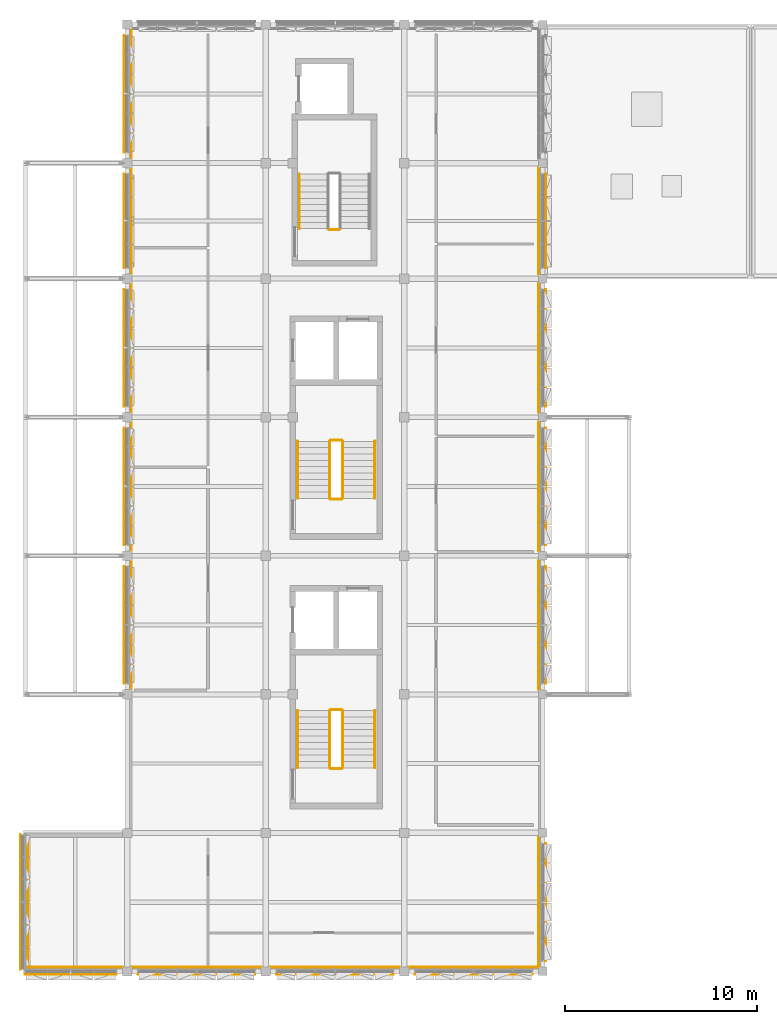
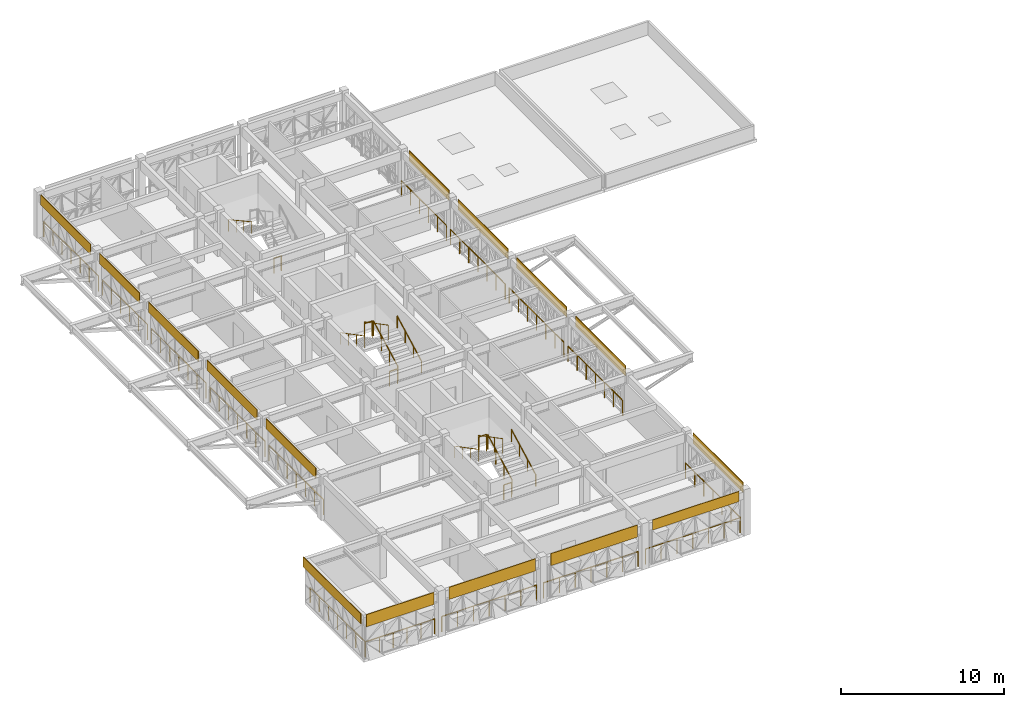
# One storey, part 25 of 30: 29 railings, 15 coverings.
"""IFC4 building model written with IfcOpenShell, lengths in metres."""

from ifc_helpers import new_model, si_unit, direction, frame, origin, origin_2d, place, context, subcontext, project, spatial, polyline, circle, outline, extrude, material, layer, layer_set, type_object, element, save


model = new_model("IFC4")

# Units and contexts
model_context = context("Model", 3, precision=1e-05, world=origin(), true_north=direction((0.0, 1.0)))
body_context = subcontext(model_context, "Body", "Model", "MODEL_VIEW")
ifc_project = project(units=[si_unit("LENGTHUNIT", "METRE"), si_unit("AREAUNIT", "SQUARE_METRE"), si_unit("VOLUMEUNIT", "CUBIC_METRE"), si_unit("PLANEANGLEUNIT", "RADIAN"), si_unit("MASSUNIT", "GRAM", prefix="KILO")], contexts=[model_context])

# Site, building, storey
site_placement = place(None, origin())
site = spatial("IfcSite", under=ifc_project, at=site_placement, CompositionType="ELEMENT")
building_placement = place(site_placement, origin())
building = spatial("IfcBuilding", under=site, at=building_placement, Name="Alvorim Cloister Faculty of Sciences", CompositionType="ELEMENT")
storey_placement = place(building_placement, frame((0.0, 0.0, 26.25)))
storey = spatial("IfcBuildingStorey", under=building, at=storey_placement, Name="L07", CompositionType="ELEMENT", Elevation=26.25)

# Coverings
ifc_material_1 = material(Name="Anodised Aluminium Alloy 6063-T6", Category="aluminium")
ifc_layer = layer(ifc_material_1, 0.031982421875)
ifc_layer_set = layer_set([ifc_layer], Name="Anodised Aluminium Alloy 6063-T6")
covering_type = type_object("IfcCoveringType", Name="COV-FAC-CAS", PredefinedType="CLADDING", material=ifc_layer_set)
covering_1_placement = place(storey_placement, frame((22.139892578125, 7.050048828125, 2.679931640625), z_axis=(0.0, 0.0, 1.0), x_axis=(1.0, 0.0, 0.0)))
element("IfcCovering", 1, at=covering_1_placement, inside=storey, type_object=covering_type, Name="L07 Shifted Bar Slab-Edge Architectural Fascia", PredefinedType="CLADDING", context=body_context, shape_type="SweptSolid", body=[
    extrude(outline(polyline([(0.0, 0.0), (6.1201171875, 0.0), (6.1201171875, 0.760009765625), (0.0, 0.760009765625), (0.0, 0.0)])), frame((0.0, 0.0224609375, 0.0), z_axis=(0.0, -1.0, 0.0), x_axis=(1.0, 0.0, 0.0)), (0.0, 0.0, 1.0), 0.044921875),
])
for number, where, z_axis, x_axis, name in (
    (2, (14.93994140625, 7.050048828125, 2.535888671875), (0.0, 0.0, 1.0), (1.0, 0.0, 0.0), "L07 Shifted Bar Slab-Edge Architectural Fascia"),
    (3, (7.739990234375, 7.050048828125, 2.535888671875), (0.0, 0.0, 1.0), (1.0, 0.0, 0.0), "L07 Shifted Bar Slab-Edge Architectural Fascia"),
):
    element("IfcCovering", number, at=place(storey_placement, frame(where, z_axis=z_axis, x_axis=x_axis)), inside=storey, type_object=covering_type, Name=name, PredefinedType="CLADDING", context=body_context, shape_type="SweptSolid", body=[
        extrude(outline(polyline([(0.0, 0.0), (6.1201171875, 0.0), (6.1201171875, 0.904052734375), (0.0, 0.904052734375), (0.0, 0.0)])), frame((0.0, 0.0224609375, 0.0), z_axis=(0.0, -1.0, 0.0), x_axis=(1.0, 0.0, 0.0)), (0.0, 0.0, 1.0), 0.044921875),
    ])
covering_2_placement = place(storey_placement, frame((1.8798828125, 7.050048828125, 2.535888671875), z_axis=(0.0, 0.0, 1.0), x_axis=(1.0, 0.0, 0.0)))
element("IfcCovering", 4, at=covering_2_placement, inside=storey, type_object=covering_type, Name="L07 Shifted Bar Slab-Edge Architectural Fascia", PredefinedType="CLADDING", context=body_context, shape_type="SweptSolid", body=[
    extrude(outline(polyline([(0.0, 0.0), (4.780029296875, 0.0), (4.780029296875, 0.904052734375), (0.0, 0.904052734375), (0.0, 0.0)])), frame((0.0, 0.0224609375, 0.0), z_axis=(0.0, -1.0, 0.0), x_axis=(1.0, 0.0, 0.0)), (0.0, 0.0, 1.0), 0.044921875),
])
covering_3_placement = place(storey_placement, frame((1.64990234375, 7.280029296875, 2.68701171875), z_axis=(0.0, 0.0, 1.0), x_axis=(0.0, 1.0, 0.0)))
element("IfcCovering", 5, at=covering_3_placement, inside=storey, type_object=covering_type, Name="L07 Shifted Bar Slab-Edge Architectural Fascia", PredefinedType="CLADDING", context=body_context, shape_type="SweptSolid", body=[
    extrude(outline(polyline([(0.0, 0.0), (7.0400390625, 0.0), (7.0400390625, 0.7529296875), (0.0, 0.7529296875), (0.0, 0.0)])), frame((0.0, 0.0224609375, 0.0), z_axis=(0.0, -1.0, 0.0), x_axis=(1.0, 0.0, 0.0)), (0.0, 0.0, 1.0), 0.044921875),
])
for number, where, z_axis, x_axis, name in (
    (6, (7.050048828125, 22.139892578125, 2.679931640625), (0.0, 0.0, 1.0), (0.0, 1.0, 0.0), "L07 Shifted Bar Slab-Edge Architectural Fascia"),
    (7, (7.050048828125, 29.340087890625, 2.679931640625), (0.0, 0.0, 1.0), (0.0, 1.0, 0.0), "L07 Shifted Bar Slab-Edge Architectural Fascia"),
    (8, (7.050048828125, 36.5400390625, 2.679931640625), (0.0, 0.0, 1.0), (0.0, 1.0, 0.0), "L07 Shifted Bar Slab-Edge Architectural Fascia"),
):
    element("IfcCovering", number, at=place(storey_placement, frame(where, z_axis=z_axis, x_axis=x_axis)), inside=storey, type_object=covering_type, Name=name, PredefinedType="CLADDING", context=body_context, shape_type="SweptSolid", body=[
        extrude(outline(polyline([(0.0, 0.0), (6.1201171875, 0.0), (6.1201171875, 0.760009765625), (0.0, 0.760009765625), (0.0, 0.0)])), frame((0.0, 0.0224609375, 0.0), z_axis=(0.0, -1.0, 0.0), x_axis=(1.0, 0.0, 0.0)), (0.0, 0.0, 1.0), 0.044921875),
    ])
covering_4_placement = place(storey_placement, frame((7.050048828125, 43.739990234375, 2.679931640625), z_axis=(0.0, 0.0, 1.0), x_axis=(0.0, 1.0, 0.0)))
element("IfcCovering", 9, at=covering_4_placement, inside=storey, type_object=covering_type, Name="L07 Shifted Bar Slab-Edge Architectural Fascia", PredefinedType="CLADDING", context=body_context, shape_type="SweptSolid", body=[
    extrude(outline(polyline([(0.0, 0.0), (4.919921875, 0.0), (4.919921875, 0.760009765625), (0.0, 0.760009765625), (0.0, 0.0)])), frame((0.0, 0.0224609375, 0.0), z_axis=(0.0, -1.0, 0.0), x_axis=(1.0, 0.0, 0.0)), (0.0, 0.0, 1.0), 0.044921875),
])
covering_5_placement = place(storey_placement, frame((7.050048828125, 49.739990234375, 2.679931640625), z_axis=(0.0, 0.0, 1.0), x_axis=(0.0, 1.0, 0.0)))
element("IfcCovering", 10, at=covering_5_placement, inside=storey, type_object=covering_type, Name="L07 Shifted Bar Slab-Edge Architectural Fascia", PredefinedType="CLADDING", context=body_context, shape_type="SweptSolid", body=[
    extrude(outline(polyline([(0.0, 0.0), (6.1201171875, 0.0), (6.1201171875, 0.760009765625), (0.0, 0.760009765625), (0.0, 0.0)])), frame((0.0, 0.0224609375, 0.0), z_axis=(0.0, -1.0, 0.0), x_axis=(1.0, 0.0, 0.0)), (0.0, 0.0, 1.0), 0.044921875),
])
covering_6_placement = place(storey_placement, frame((28.949951171875, 43.739990234375, 2.679931640625), z_axis=(0.0, 0.0, 1.0), x_axis=(0.0, 1.0, 0.0)))
element("IfcCovering", 11, at=covering_6_placement, inside=storey, type_object=covering_type, Name="L07 Shifted Bar Slab-Edge Architectural Fascia", PredefinedType="CLADDING", context=body_context, shape_type="SweptSolid", body=[
    extrude(outline(polyline([(0.0, 0.0), (4.919921875, 0.0), (4.919921875, 0.760009765625), (0.0, 0.760009765625), (0.0, 0.0)])), frame((0.0, 0.0224609375, 0.0), z_axis=(0.0, -1.0, 0.0), x_axis=(1.0, 0.0, 0.0)), (0.0, 0.0, 1.0), 0.044921875),
])
for number, where, z_axis, x_axis, name in (
    (12, (28.949951171875, 36.5400390625, 2.679931640625), (0.0, 0.0, 1.0), (0.0, 1.0, 0.0), "L07 Shifted Bar Slab-Edge Architectural Fascia"),
    (13, (28.949951171875, 29.340087890625, 2.679931640625), (0.0, 0.0, 1.0), (0.0, 1.0, 0.0), "L07 Shifted Bar Slab-Edge Architectural Fascia"),
    (14, (28.949951171875, 22.139892578125, 2.679931640625), (0.0, 0.0, 1.0), (0.0, 1.0, 0.0), "L07 Shifted Bar Slab-Edge Architectural Fascia"),
    (15, (28.949951171875, 7.739990234375, 2.679931640625), (0.0, 0.0, 1.0), (0.0, 1.0, 0.0), "L07 Shifted Bar Slab-Edge Architectural Fascia"),
):
    element("IfcCovering", number, at=place(storey_placement, frame(where, z_axis=z_axis, x_axis=x_axis)), inside=storey, type_object=covering_type, Name=name, PredefinedType="CLADDING", context=body_context, shape_type="SweptSolid", body=[
        extrude(outline(polyline([(0.0, 0.0), (6.1201171875, 0.0), (6.1201171875, 0.760009765625), (0.0, 0.760009765625), (0.0, 0.0)])), frame((0.0, 0.0224609375, 0.0), z_axis=(0.0, -1.0, 0.0), x_axis=(1.0, 0.0, 0.0)), (0.0, 0.0, 1.0), 0.044921875),
    ])

# Railings
ifc_material_2 = material(Name="Laminated Safety Glass and Bronze", Category="glass")
railing_type_1 = type_object("IfcRailingType", Name="RL-ATR-BAL-1150", PredefinedType="BALUSTRADE", material=ifc_material_2)
railing_1_placement = place(storey_placement, frame((21.85009765625, 7.419921875, 0.0)))
element("IfcRailing", 16, at=railing_1_placement, inside=storey, type_object=railing_type_1, Name="L07 Curtain Wall Sill Guard BL-256", PredefinedType="BALUSTRADE", context=body_context, shape_type="SweptSolid", body=[
    extrude(circle(Radius=0.02392578125, at=origin_2d()), frame((0.0, 0.0, 1.1259765625), z_axis=(1.0, 0.0, 0.0), x_axis=(0.0, 1.0, 0.0)), (0.0, 0.0, 1.0), 6.699951171875),
    extrude(circle(Radius=0.02099609375, at=origin_2d()), origin(), (0.0, 0.0, 1.0), 1.101806640625),
    extrude(circle(Radius=0.02099609375, at=origin_2d()), frame((1.11669921875, 0.0, 0.0)), (0.0, 0.0, 1.0), 1.101806640625),
    extrude(circle(Radius=0.02099609375, at=origin_2d()), frame((2.2333984375, 0.0, 0.0)), (0.0, 0.0, 1.0), 1.101806640625),
    extrude(circle(Radius=0.02099609375, at=origin_2d()), frame((3.35009765625, 0.0, 0.0)), (0.0, 0.0, 1.0), 1.101806640625),
    extrude(circle(Radius=0.02099609375, at=origin_2d()), frame((4.466552734375, 0.0, 0.0)), (0.0, 0.0, 1.0), 1.101806640625),
    extrude(circle(Radius=0.02099609375, at=origin_2d()), frame((5.583251953125, 0.0, 0.0)), (0.0, 0.0, 1.0), 1.101806640625),
    extrude(circle(Radius=0.02099609375, at=origin_2d()), frame((6.699951171875, 0.0, 0.0)), (0.0, 0.0, 1.0), 1.101806640625),
])
railing_2_placement = place(storey_placement, frame((14.64990234375, 7.419921875, 0.0)))
element("IfcRailing", 17, at=railing_2_placement, inside=storey, type_object=railing_type_1, Name="L07 Curtain Wall Sill Guard BL-257", PredefinedType="BALUSTRADE", context=body_context, shape_type="SweptSolid", body=[
    extrude(circle(Radius=0.02392578125, at=origin_2d()), frame((0.0, 0.0, 1.1259765625), z_axis=(1.0, 0.0, 0.0), x_axis=(0.0, 1.0, 0.0)), (0.0, 0.0, 1.0), 6.7001953125),
    extrude(circle(Radius=0.02099609375, at=origin_2d()), origin(), (0.0, 0.0, 1.0), 1.101806640625),
    extrude(circle(Radius=0.02099609375, at=origin_2d()), frame((1.11669921875, 0.0, 0.0)), (0.0, 0.0, 1.0), 1.101806640625),
    extrude(circle(Radius=0.02099609375, at=origin_2d()), frame((2.2333984375, 0.0, 0.0)), (0.0, 0.0, 1.0), 1.101806640625),
    extrude(circle(Radius=0.02099609375, at=origin_2d()), frame((3.35009765625, 0.0, 0.0)), (0.0, 0.0, 1.0), 1.101806640625),
    extrude(circle(Radius=0.02099609375, at=origin_2d()), frame((4.466796875, 0.0, 0.0)), (0.0, 0.0, 1.0), 1.101806640625),
    extrude(circle(Radius=0.02099609375, at=origin_2d()), frame((5.58349609375, 0.0, 0.0)), (0.0, 0.0, 1.0), 1.101806640625),
    extrude(circle(Radius=0.02099609375, at=origin_2d()), frame((6.7001953125, 0.0, 0.0)), (0.0, 0.0, 1.0), 1.101806640625),
])
railing_3_placement = place(storey_placement, frame((7.449951171875, 7.419921875, 0.0)))
element("IfcRailing", 18, at=railing_3_placement, inside=storey, type_object=railing_type_1, Name="L07 Curtain Wall Sill Guard BL-258", PredefinedType="BALUSTRADE", context=body_context, shape_type="SweptSolid", body=[
    extrude(circle(Radius=0.02392578125, at=origin_2d()), frame((0.0, 0.0, 1.1259765625), z_axis=(1.0, 0.0, 0.0), x_axis=(0.0, 1.0, 0.0)), (0.0, 0.0, 1.0), 6.699951171875),
    extrude(circle(Radius=0.02099609375, at=origin_2d()), origin(), (0.0, 0.0, 1.0), 1.101806640625),
    extrude(circle(Radius=0.02099609375, at=origin_2d()), frame((1.11669921875, 0.0, 0.0)), (0.0, 0.0, 1.0), 1.101806640625),
    extrude(circle(Radius=0.02099609375, at=origin_2d()), frame((2.2333984375, 0.0, 0.0)), (0.0, 0.0, 1.0), 1.101806640625),
    extrude(circle(Radius=0.02099609375, at=origin_2d()), frame((3.35009765625, 0.0, 0.0)), (0.0, 0.0, 1.0), 1.101806640625),
    extrude(circle(Radius=0.02099609375, at=origin_2d()), frame((4.466552734375, 0.0, 0.0)), (0.0, 0.0, 1.0), 1.101806640625),
    extrude(circle(Radius=0.02099609375, at=origin_2d()), frame((5.583251953125, 0.0, 0.0)), (0.0, 0.0, 1.0), 1.101806640625),
    extrude(circle(Radius=0.02099609375, at=origin_2d()), frame((6.699951171875, 0.0, 0.0)), (0.0, 0.0, 1.0), 1.101806640625),
])
railing_4_placement = place(storey_placement, frame((2.050048828125, 7.419921875, 0.0)))
element("IfcRailing", 19, at=railing_4_placement, inside=storey, type_object=railing_type_1, Name="L07 Curtain Wall Sill Guard BL-259", PredefinedType="BALUSTRADE", context=body_context, shape_type="SweptSolid", body=[
    extrude(circle(Radius=0.02392578125, at=origin_2d()), frame((0.0, 0.0, 1.1259765625), z_axis=(1.0, 0.0, 0.0), x_axis=(0.0, 1.0, 0.0)), (0.0, 0.0, 1.0), 4.89990234375),
    extrude(circle(Radius=0.02099609375, at=origin_2d()), origin(), (0.0, 0.0, 1.0), 1.101806640625),
    extrude(circle(Radius=0.02099609375, at=origin_2d()), frame((0.97998046875, 0.0, 0.0)), (0.0, 0.0, 1.0), 1.101806640625),
    extrude(circle(Radius=0.02099609375, at=origin_2d()), frame((1.9599609375, 0.0, 0.0)), (0.0, 0.0, 1.0), 1.101806640625),
    extrude(circle(Radius=0.02099609375, at=origin_2d()), frame((2.93994140625, 0.0, 0.0)), (0.0, 0.0, 1.0), 1.101806640625),
    extrude(circle(Radius=0.02099609375, at=origin_2d()), frame((3.919921875, 0.0, 0.0)), (0.0, 0.0, 1.0), 1.101806640625),
    extrude(circle(Radius=0.02099609375, at=origin_2d()), frame((4.89990234375, 0.0, 0.0)), (0.0, 0.0, 1.0), 1.101806640625),
])
for number, where, name in (
    (20, (2.02001953125, 7.449951171875, 0.0), "L07 Curtain Wall Sill Guard BL-260"),
    (21, (7.419921875, 21.85009765625, 0.0), "L07 Curtain Wall Sill Guard BL-261"),
    (22, (7.419921875, 29.050048828125, 0.0), "L07 Curtain Wall Sill Guard BL-262"),
    (23, (7.419921875, 36.25, 0.0), "L07 Curtain Wall Sill Guard BL-263"),
):
    element("IfcRailing", number, at=place(storey_placement, frame(where)), inside=storey, type_object=railing_type_1, Name=name, PredefinedType="BALUSTRADE", context=body_context, shape_type="SweptSolid", body=[
        extrude(circle(Radius=0.02392578125, at=origin_2d()), frame((0.0, 0.0, 1.1259765625), z_axis=(0.0, 1.0, 0.0), x_axis=(-1.0, 0.0, 0.0)), (0.0, 0.0, 1.0), 6.699951171875),
        extrude(circle(Radius=0.02099609375, at=origin_2d()), origin(), (0.0, 0.0, 1.0), 1.101806640625),
        extrude(circle(Radius=0.02099609375, at=origin_2d()), frame((0.0, 1.11669921875, 0.0)), (0.0, 0.0, 1.0), 1.101806640625),
        extrude(circle(Radius=0.02099609375, at=origin_2d()), frame((0.0, 2.2333984375, 0.0)), (0.0, 0.0, 1.0), 1.101806640625),
        extrude(circle(Radius=0.02099609375, at=origin_2d()), frame((0.0, 3.35009765625, 0.0)), (0.0, 0.0, 1.0), 1.101806640625),
        extrude(circle(Radius=0.02099609375, at=origin_2d()), frame((0.0, 4.466552734375, 0.0)), (0.0, 0.0, 1.0), 1.101806640625),
        extrude(circle(Radius=0.02099609375, at=origin_2d()), frame((0.0, 5.583251953125, 0.0)), (0.0, 0.0, 1.0), 1.101806640625),
        extrude(circle(Radius=0.02099609375, at=origin_2d()), frame((0.0, 6.699951171875, 0.0)), (0.0, 0.0, 1.0), 1.101806640625),
    ])
railing_5_placement = place(storey_placement, frame((7.419921875, 43.449951171875, 0.0)))
element("IfcRailing", 24, at=railing_5_placement, inside=storey, type_object=railing_type_1, Name="L07 Curtain Wall Sill Guard BL-264", PredefinedType="BALUSTRADE", context=body_context, shape_type="SweptSolid", body=[
    extrude(circle(Radius=0.02392578125, at=origin_2d()), frame((0.0, 0.0, 1.1259765625), z_axis=(0.0, 1.0, 0.0), x_axis=(-1.0, 0.0, 0.0)), (0.0, 0.0, 1.0), 5.5),
    extrude(circle(Radius=0.02099609375, at=origin_2d()), origin(), (0.0, 0.0, 1.0), 1.101806640625),
    extrude(circle(Radius=0.02099609375, at=origin_2d()), frame((0.0, 1.10009765625, 0.0)), (0.0, 0.0, 1.0), 1.101806640625),
    extrude(circle(Radius=0.02099609375, at=origin_2d()), frame((0.0, 2.199951171875, 0.0)), (0.0, 0.0, 1.0), 1.101806640625),
    extrude(circle(Radius=0.02099609375, at=origin_2d()), frame((0.0, 3.300048828125, 0.0)), (0.0, 0.0, 1.0), 1.101806640625),
    extrude(circle(Radius=0.02099609375, at=origin_2d()), frame((0.0, 4.39990234375, 0.0)), (0.0, 0.0, 1.0), 1.101806640625),
    extrude(circle(Radius=0.02099609375, at=origin_2d()), frame((0.0, 5.5, 0.0)), (0.0, 0.0, 1.0), 1.101806640625),
])
railing_6_placement = place(storey_placement, frame((7.419921875, 49.449951171875, 0.0)))
element("IfcRailing", 25, at=railing_6_placement, inside=storey, type_object=railing_type_1, Name="L07 Curtain Wall Sill Guard BL-265", PredefinedType="BALUSTRADE", context=body_context, shape_type="SweptSolid", body=[
    extrude(circle(Radius=0.02392578125, at=origin_2d()), frame((0.0, 0.0, 1.1259765625), z_axis=(0.0, 1.0, 0.0), x_axis=(-1.0, 0.0, 0.0)), (0.0, 0.0, 1.0), 6.699951171875),
    extrude(circle(Radius=0.02099609375, at=origin_2d()), origin(), (0.0, 0.0, 1.0), 1.101806640625),
    extrude(circle(Radius=0.02099609375, at=origin_2d()), frame((0.0, 1.11669921875, 0.0)), (0.0, 0.0, 1.0), 1.101806640625),
    extrude(circle(Radius=0.02099609375, at=origin_2d()), frame((0.0, 2.2333984375, 0.0)), (0.0, 0.0, 1.0), 1.101806640625),
    extrude(circle(Radius=0.02099609375, at=origin_2d()), frame((0.0, 3.35009765625, 0.0)), (0.0, 0.0, 1.0), 1.101806640625),
    extrude(circle(Radius=0.02099609375, at=origin_2d()), frame((0.0, 4.466552734375, 0.0)), (0.0, 0.0, 1.0), 1.101806640625),
    extrude(circle(Radius=0.02099609375, at=origin_2d()), frame((0.0, 5.583251953125, 0.0)), (0.0, 0.0, 1.0), 1.101806640625),
    extrude(circle(Radius=0.02099609375, at=origin_2d()), frame((0.0, 6.699951171875, 0.0)), (0.0, 0.0, 1.0), 1.101806640625),
])
railing_7_placement = place(storey_placement, frame((28.580078125, 43.449951171875, 0.0)))
element("IfcRailing", 26, at=railing_7_placement, inside=storey, type_object=railing_type_1, Name="L07 Curtain Wall Sill Guard BL-270", PredefinedType="BALUSTRADE", context=body_context, shape_type="SweptSolid", body=[
    extrude(circle(Radius=0.02392578125, at=origin_2d()), frame((0.0, 0.0, 1.1259765625), z_axis=(0.0, 1.0, 0.0), x_axis=(-1.0, 0.0, 0.0)), (0.0, 0.0, 1.0), 5.5),
    extrude(circle(Radius=0.02099609375, at=origin_2d()), origin(), (0.0, 0.0, 1.0), 1.101806640625),
    extrude(circle(Radius=0.02099609375, at=origin_2d()), frame((0.0, 1.10009765625, 0.0)), (0.0, 0.0, 1.0), 1.101806640625),
    extrude(circle(Radius=0.02099609375, at=origin_2d()), frame((0.0, 2.199951171875, 0.0)), (0.0, 0.0, 1.0), 1.101806640625),
    extrude(circle(Radius=0.02099609375, at=origin_2d()), frame((0.0, 3.300048828125, 0.0)), (0.0, 0.0, 1.0), 1.101806640625),
    extrude(circle(Radius=0.02099609375, at=origin_2d()), frame((0.0, 4.39990234375, 0.0)), (0.0, 0.0, 1.0), 1.101806640625),
    extrude(circle(Radius=0.02099609375, at=origin_2d()), frame((0.0, 5.5, 0.0)), (0.0, 0.0, 1.0), 1.101806640625),
])
for number, where, name in (
    (27, (28.580078125, 36.25, 0.0), "L07 Curtain Wall Sill Guard BL-271"),
    (28, (28.580078125, 29.050048828125, 0.0), "L07 Curtain Wall Sill Guard BL-272"),
    (29, (28.580078125, 21.85009765625, 0.0), "L07 Curtain Wall Sill Guard BL-273"),
    (30, (28.580078125, 7.449951171875, 0.0), "L07 Curtain Wall Sill Guard BL-274"),
):
    element("IfcRailing", number, at=place(storey_placement, frame(where)), inside=storey, type_object=railing_type_1, Name=name, PredefinedType="BALUSTRADE", context=body_context, shape_type="SweptSolid", body=[
        extrude(circle(Radius=0.02392578125, at=origin_2d()), frame((0.0, 0.0, 1.1259765625), z_axis=(0.0, 1.0, 0.0), x_axis=(-1.0, 0.0, 0.0)), (0.0, 0.0, 1.0), 6.699951171875),
        extrude(circle(Radius=0.02099609375, at=origin_2d()), origin(), (0.0, 0.0, 1.0), 1.101806640625),
        extrude(circle(Radius=0.02099609375, at=origin_2d()), frame((0.0, 1.11669921875, 0.0)), (0.0, 0.0, 1.0), 1.101806640625),
        extrude(circle(Radius=0.02099609375, at=origin_2d()), frame((0.0, 2.2333984375, 0.0)), (0.0, 0.0, 1.0), 1.101806640625),
        extrude(circle(Radius=0.02099609375, at=origin_2d()), frame((0.0, 3.35009765625, 0.0)), (0.0, 0.0, 1.0), 1.101806640625),
        extrude(circle(Radius=0.02099609375, at=origin_2d()), frame((0.0, 4.466552734375, 0.0)), (0.0, 0.0, 1.0), 1.101806640625),
        extrude(circle(Radius=0.02099609375, at=origin_2d()), frame((0.0, 5.583251953125, 0.0)), (0.0, 0.0, 1.0), 1.101806640625),
        extrude(circle(Radius=0.02099609375, at=origin_2d()), frame((0.0, 6.699951171875, 0.0)), (0.0, 0.0, 1.0), 1.101806640625),
    ])
ifc_material_3 = material(Name="Galvanised Painted Steel", Category="steel")
railing_type_2 = type_object("IfcRailingType", Name="RL-STR-GUARD", PredefinedType="GUARDRAIL", material=ifc_material_3)
railing_8_placement = place(storey_placement, frame((18.389892578125, 17.780029296875, 0.172607421875)))
element("IfcRailing", 31, at=railing_8_placement, inside=storey, type_object=railing_type_2, Name="L07 ST-01 stair guard 1", PredefinedType="GUARDRAIL", context=body_context, shape_type="SweptSolid", body=[
    extrude(circle(Radius=0.02392578125, at=origin_2d()), frame((0.0, 0.0, 1.09619140625), z_axis=(0.0, 0.886224764221, 0.463255509715), x_axis=(-1.0, 0.0, 0.0)), (0.0, 0.0, 1.0), 3.351318359375),
    extrude(circle(Radius=0.02099609375, at=origin_2d()), origin(), (0.0, 0.0, 1.0), 1.072021484375),
    extrude(circle(Radius=0.02099609375, at=origin_2d()), frame((0.0, 0.989990234375, 0.517578125)), (0.0, 0.0, 1.0), 1.072021484375),
    extrude(circle(Radius=0.02099609375, at=origin_2d()), frame((0.0, 1.97998046875, 1.034912109375)), (0.0, 0.0, 1.0), 1.072021484375),
    extrude(circle(Radius=0.02099609375, at=origin_2d()), frame((0.0, 2.969970703125, 1.552490234375)), (0.0, 0.0, 1.0), 1.072021484375),
])
railing_9_placement = place(storey_placement, frame((18.340087890625, 20.800048828125, 1.72509765625)))
element("IfcRailing", 32, at=railing_9_placement, inside=storey, type_object=railing_type_2, Name="L07 ST-01 stair guard 2", PredefinedType="GUARDRAIL", context=body_context, shape_type="SweptSolid", body=[
    extrude(circle(Radius=0.02392578125, at=origin_2d()), frame((0.0, 0.0, 1.09619140625), z_axis=(-1.0, 0.0, 0.0), x_axis=(0.0, -1.0, 0.0)), (0.0, 0.0, 1.0), 0.56005859375),
    extrude(circle(Radius=0.02099609375, at=origin_2d()), origin(), (0.0, 0.0, 1.0), 1.072021484375),
    extrude(circle(Radius=0.02099609375, at=origin_2d()), frame((-0.56005859375, 0.0, 0.0)), (0.0, 0.0, 1.0), 1.072021484375),
])
railing_10_placement = place(storey_placement, frame((17.72998046875, 20.75, 1.8974609375)))
element("IfcRailing", 33, at=railing_10_placement, inside=storey, type_object=railing_type_2, Name="L07 ST-01 stair guard 3", PredefinedType="GUARDRAIL", context=body_context, shape_type="SweptSolid", body=[
    extrude(circle(Radius=0.02392578125, at=origin_2d()), frame((0.0, 0.0, 1.09619140625), z_axis=(0.0, -0.886224764221, 0.463255509715), x_axis=(1.0, 0.0, 0.0)), (0.0, 0.0, 1.0), 3.351318359375),
    extrude(circle(Radius=0.02099609375, at=origin_2d()), origin(), (0.0, 0.0, 1.0), 1.072021484375),
    extrude(circle(Radius=0.02099609375, at=origin_2d()), frame((0.0, -0.989990234375, 0.517578125)), (0.0, 0.0, 1.0), 1.072021484375),
    extrude(circle(Radius=0.02099609375, at=origin_2d()), frame((0.0, -1.97998046875, 1.034912109375)), (0.0, 0.0, 1.0), 1.072021484375),
    extrude(circle(Radius=0.02099609375, at=origin_2d()), frame((0.0, -2.969970703125, 1.552490234375)), (0.0, 0.0, 1.0), 1.072021484375),
])
railing_11_placement = place(storey_placement, frame((18.340087890625, 17.72998046875, 0.0)))
element("IfcRailing", 34, at=railing_11_placement, inside=storey, type_object=railing_type_2, Name="L07 ST-01 stair guard 4", PredefinedType="GUARDRAIL", context=body_context, shape_type="SweptSolid", body=[
    extrude(circle(Radius=0.02392578125, at=origin_2d()), frame((0.0, 0.0, 1.09619140625), z_axis=(-1.0, 0.0, 0.0), x_axis=(0.0, -1.0, 0.0)), (0.0, 0.0, 1.0), 0.56005859375),
    extrude(circle(Radius=0.02099609375, at=origin_2d()), origin(), (0.0, 0.0, 1.0), 1.072021484375),
    extrude(circle(Radius=0.02099609375, at=origin_2d()), frame((-0.56005859375, 0.0, 0.0)), (0.0, 0.0, 1.0), 1.072021484375),
])
railing_12_placement = place(storey_placement, frame((18.389892578125, 31.780029296875, 0.172607421875)))
element("IfcRailing", 35, at=railing_12_placement, inside=storey, type_object=railing_type_2, Name="L07 ST-02 stair guard 1", PredefinedType="GUARDRAIL", context=body_context, shape_type="SweptSolid", body=[
    extrude(circle(Radius=0.02392578125, at=origin_2d()), frame((0.0, 0.0, 1.09619140625), z_axis=(0.0, 0.886224764221, 0.463255509715), x_axis=(-1.0, 0.0, 0.0)), (0.0, 0.0, 1.0), 3.351318359375),
    extrude(circle(Radius=0.02099609375, at=origin_2d()), origin(), (0.0, 0.0, 1.0), 1.072021484375),
    extrude(circle(Radius=0.02099609375, at=origin_2d()), frame((0.0, 0.989990234375, 0.517578125)), (0.0, 0.0, 1.0), 1.072021484375),
    extrude(circle(Radius=0.02099609375, at=origin_2d()), frame((0.0, 1.97998046875, 1.034912109375)), (0.0, 0.0, 1.0), 1.072021484375),
    extrude(circle(Radius=0.02099609375, at=origin_2d()), frame((0.0, 2.969970703125, 1.552490234375)), (0.0, 0.0, 1.0), 1.072021484375),
])
railing_13_placement = place(storey_placement, frame((18.340087890625, 34.800048828125, 1.72509765625)))
element("IfcRailing", 36, at=railing_13_placement, inside=storey, type_object=railing_type_2, Name="L07 ST-02 stair guard 2", PredefinedType="GUARDRAIL", context=body_context, shape_type="SweptSolid", body=[
    extrude(circle(Radius=0.02392578125, at=origin_2d()), frame((0.0, 0.0, 1.09619140625), z_axis=(-1.0, 0.0, 0.0), x_axis=(0.0, -1.0, 0.0)), (0.0, 0.0, 1.0), 0.56005859375),
    extrude(circle(Radius=0.02099609375, at=origin_2d()), origin(), (0.0, 0.0, 1.0), 1.072021484375),
    extrude(circle(Radius=0.02099609375, at=origin_2d()), frame((-0.56005859375, 0.0, 0.0)), (0.0, 0.0, 1.0), 1.072021484375),
])
railing_14_placement = place(storey_placement, frame((17.72998046875, 34.75, 1.8974609375)))
element("IfcRailing", 37, at=railing_14_placement, inside=storey, type_object=railing_type_2, Name="L07 ST-02 stair guard 3", PredefinedType="GUARDRAIL", context=body_context, shape_type="SweptSolid", body=[
    extrude(circle(Radius=0.02392578125, at=origin_2d()), frame((0.0, 0.0, 1.09619140625), z_axis=(0.0, -0.886224764221, 0.463255509715), x_axis=(1.0, 0.0, 0.0)), (0.0, 0.0, 1.0), 3.351318359375),
    extrude(circle(Radius=0.02099609375, at=origin_2d()), origin(), (0.0, 0.0, 1.0), 1.072021484375),
    extrude(circle(Radius=0.02099609375, at=origin_2d()), frame((0.0, -0.989990234375, 0.517578125)), (0.0, 0.0, 1.0), 1.072021484375),
    extrude(circle(Radius=0.02099609375, at=origin_2d()), frame((0.0, -1.97998046875, 1.034912109375)), (0.0, 0.0, 1.0), 1.072021484375),
    extrude(circle(Radius=0.02099609375, at=origin_2d()), frame((0.0, -2.969970703125, 1.552490234375)), (0.0, 0.0, 1.0), 1.072021484375),
])
railing_15_placement = place(storey_placement, frame((18.340087890625, 31.72998046875, 0.0)))
element("IfcRailing", 38, at=railing_15_placement, inside=storey, type_object=railing_type_2, Name="L07 ST-02 stair guard 4", PredefinedType="GUARDRAIL", context=body_context, shape_type="SweptSolid", body=[
    extrude(circle(Radius=0.02392578125, at=origin_2d()), frame((0.0, 0.0, 1.09619140625), z_axis=(-1.0, 0.0, 0.0), x_axis=(0.0, -1.0, 0.0)), (0.0, 0.0, 1.0), 0.56005859375),
    extrude(circle(Radius=0.02099609375, at=origin_2d()), origin(), (0.0, 0.0, 1.0), 1.072021484375),
    extrude(circle(Radius=0.02099609375, at=origin_2d()), frame((-0.56005859375, 0.0, 0.0)), (0.0, 0.0, 1.0), 1.072021484375),
])
railing_16_placement = place(storey_placement, frame((18.219970703125, 45.75, 0.0)))
element("IfcRailing", 39, at=railing_16_placement, inside=storey, type_object=railing_type_2, Name="L07 ST-03 stair guard 4", PredefinedType="GUARDRAIL", context=body_context, shape_type="SweptSolid", body=[
    extrude(circle(Radius=0.02392578125, at=origin_2d()), frame((0.0, 0.0, 1.09619140625), z_axis=(-1.0, 0.0, 0.0), x_axis=(0.0, -1.0, 0.0)), (0.0, 0.0, 1.0), 0.52001953125),
    extrude(circle(Radius=0.02099609375, at=origin_2d()), origin(), (0.0, 0.0, 1.0), 1.072021484375),
    extrude(circle(Radius=0.02099609375, at=origin_2d()), frame((-0.52001953125, 0.0, 0.0)), (0.0, 0.0, 1.0), 1.072021484375),
])
ifc_material_4 = material(Name="Brushed Stainless Steel", Category="steel")
railing_type_3 = type_object("IfcRailingType", Name="RL-STR-HAND", PredefinedType="HANDRAIL", material=ifc_material_4)
railing_17_placement = place(storey_placement, frame((20.070068359375, 17.780029296875, 0.172607421875)))
element("IfcRailing", 40, at=railing_17_placement, inside=storey, type_object=railing_type_3, Name="L07 ST-01 stair handrail 1", PredefinedType="HANDRAIL", context=body_context, shape_type="SweptSolid", body=[
    extrude(circle(Radius=0.02392578125, at=origin_2d()), frame((0.0, 0.0, 0.8759765625), z_axis=(0.0, 0.886224764221, 0.463255509715), x_axis=(-1.0, 0.0, 0.0)), (0.0, 0.0, 1.0), 3.351318359375),
    extrude(circle(Radius=0.02099609375, at=origin_2d()), origin(), (0.0, 0.0, 1.0), 0.851806640625),
    extrude(circle(Radius=0.02099609375, at=origin_2d()), frame((0.0, 0.989990234375, 0.517578125)), (0.0, 0.0, 1.0), 0.851806640625),
    extrude(circle(Radius=0.02099609375, at=origin_2d()), frame((0.0, 1.97998046875, 1.034912109375)), (0.0, 0.0, 1.0), 0.851806640625),
    extrude(circle(Radius=0.02099609375, at=origin_2d()), frame((0.0, 2.969970703125, 1.552490234375)), (0.0, 0.0, 1.0), 0.851806640625),
])
railing_18_placement = place(storey_placement, frame((16.050048828125, 20.75, 1.8974609375)))
element("IfcRailing", 41, at=railing_18_placement, inside=storey, type_object=railing_type_3, Name="L07 ST-01 stair handrail 2", PredefinedType="HANDRAIL", context=body_context, shape_type="SweptSolid", body=[
    extrude(circle(Radius=0.02392578125, at=origin_2d()), frame((0.0, 0.0, 0.8759765625), z_axis=(0.0, -0.886224764221, 0.463255509715), x_axis=(1.0, 0.0, 0.0)), (0.0, 0.0, 1.0), 3.351318359375),
    extrude(circle(Radius=0.02099609375, at=origin_2d()), origin(), (0.0, 0.0, 1.0), 0.851806640625),
    extrude(circle(Radius=0.02099609375, at=origin_2d()), frame((0.0, -0.989990234375, 0.517578125)), (0.0, 0.0, 1.0), 0.851806640625),
    extrude(circle(Radius=0.02099609375, at=origin_2d()), frame((0.0, -1.97998046875, 1.034912109375)), (0.0, 0.0, 1.0), 0.851806640625),
    extrude(circle(Radius=0.02099609375, at=origin_2d()), frame((0.0, -2.969970703125, 1.552490234375)), (0.0, 0.0, 1.0), 0.851806640625),
])
railing_19_placement = place(storey_placement, frame((20.070068359375, 31.780029296875, 0.172607421875)))
element("IfcRailing", 42, at=railing_19_placement, inside=storey, type_object=railing_type_3, Name="L07 ST-02 stair handrail 1", PredefinedType="HANDRAIL", context=body_context, shape_type="SweptSolid", body=[
    extrude(circle(Radius=0.02392578125, at=origin_2d()), frame((0.0, 0.0, 0.8759765625), z_axis=(0.0, 0.886224764221, 0.463255509715), x_axis=(-1.0, 0.0, 0.0)), (0.0, 0.0, 1.0), 3.351318359375),
    extrude(circle(Radius=0.02099609375, at=origin_2d()), origin(), (0.0, 0.0, 1.0), 0.851806640625),
    extrude(circle(Radius=0.02099609375, at=origin_2d()), frame((0.0, 0.989990234375, 0.517578125)), (0.0, 0.0, 1.0), 0.851806640625),
    extrude(circle(Radius=0.02099609375, at=origin_2d()), frame((0.0, 1.97998046875, 1.034912109375)), (0.0, 0.0, 1.0), 0.851806640625),
    extrude(circle(Radius=0.02099609375, at=origin_2d()), frame((0.0, 2.969970703125, 1.552490234375)), (0.0, 0.0, 1.0), 0.851806640625),
])
railing_20_placement = place(storey_placement, frame((16.050048828125, 34.75, 1.8974609375)))
element("IfcRailing", 43, at=railing_20_placement, inside=storey, type_object=railing_type_3, Name="L07 ST-02 stair handrail 2", PredefinedType="HANDRAIL", context=body_context, shape_type="SweptSolid", body=[
    extrude(circle(Radius=0.02392578125, at=origin_2d()), frame((0.0, 0.0, 0.8759765625), z_axis=(0.0, -0.886224764221, 0.463255509715), x_axis=(1.0, 0.0, 0.0)), (0.0, 0.0, 1.0), 3.351318359375),
    extrude(circle(Radius=0.02099609375, at=origin_2d()), origin(), (0.0, 0.0, 1.0), 0.851806640625),
    extrude(circle(Radius=0.02099609375, at=origin_2d()), frame((0.0, -0.989990234375, 0.517578125)), (0.0, 0.0, 1.0), 0.851806640625),
    extrude(circle(Radius=0.02099609375, at=origin_2d()), frame((0.0, -1.97998046875, 1.034912109375)), (0.0, 0.0, 1.0), 0.851806640625),
    extrude(circle(Radius=0.02099609375, at=origin_2d()), frame((0.0, -2.969970703125, 1.552490234375)), (0.0, 0.0, 1.0), 0.851806640625),
])
railing_21_placement = place(storey_placement, frame((16.14990234375, 48.635009765625, 1.8974609375)))
element("IfcRailing", 44, at=railing_21_placement, inside=storey, type_object=railing_type_3, Name="L07 ST-03 stair handrail 2", PredefinedType="HANDRAIL", context=body_context, shape_type="SweptSolid", body=[
    extrude(circle(Radius=0.02392578125, at=origin_2d()), frame((0.0, 0.0, 0.8759765625), z_axis=(0.0, -0.877094752556, 0.480317389899), x_axis=(1.0, 0.0, 0.0)), (0.0, 0.0, 1.0), 3.232177734375),
    extrude(circle(Radius=0.02099609375, at=origin_2d()), origin(), (0.0, 0.0, 1.0), 0.851806640625),
    extrude(circle(Radius=0.02099609375, at=origin_2d()), frame((0.0, -0.945068359375, 0.517578125)), (0.0, 0.0, 1.0), 0.851806640625),
    extrude(circle(Radius=0.02099609375, at=origin_2d()), frame((0.0, -1.889892578125, 1.034912109375)), (0.0, 0.0, 1.0), 0.851806640625),
    extrude(circle(Radius=0.02099609375, at=origin_2d()), frame((0.0, -2.8349609375, 1.552490234375)), (0.0, 0.0, 1.0), 0.851806640625),
])

save(model, "model.ifc")
